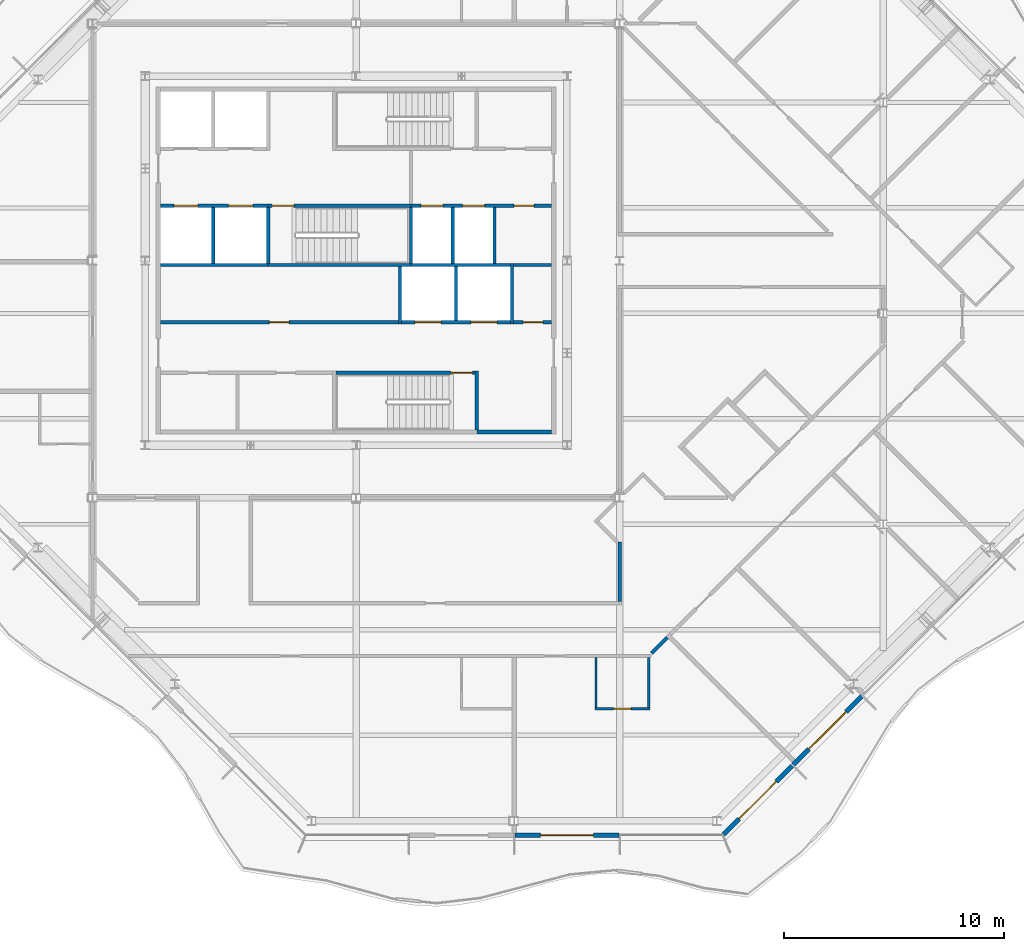
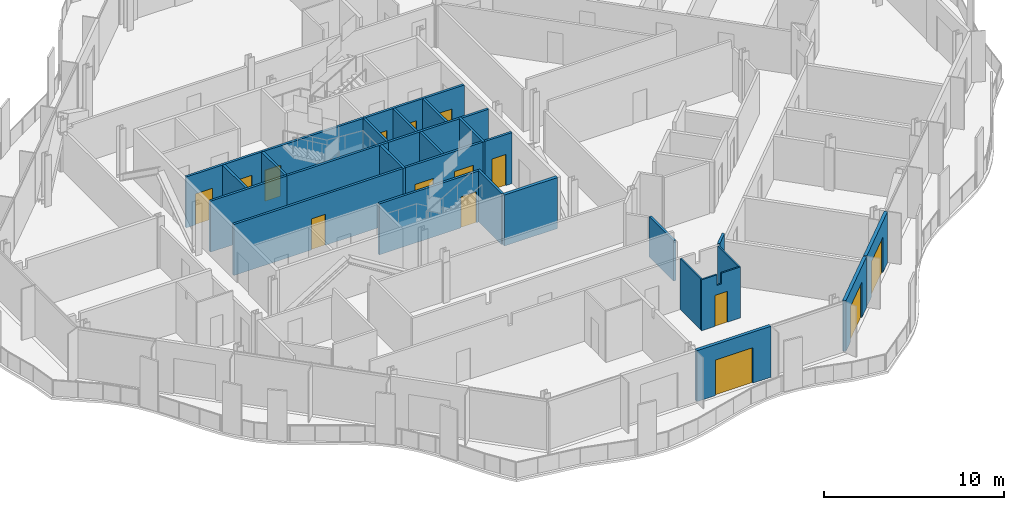
# One storey, part 8 of 17: 29 walls, 15 doors, 15 openings.
"""IFC4 building model written with IfcOpenShell, lengths in metres."""

from ifc_helpers import new_model, si_unit, direction, frame, frame_2d, origin, place, context, subcontext, project, spatial, polyline, rectangle, outline, extrude, material, layer, layer_set, type_object, element, fill, save


model = new_model("IFC4")

# Units and contexts
model_context = context("Model", 3, precision=1e-05, world=origin(), true_north=direction((0.0, 1.0)))
body_context = subcontext(model_context, "Body", "Model", "MODEL_VIEW")
ifc_project = project(units=[si_unit("LENGTHUNIT", "METRE"), si_unit("AREAUNIT", "SQUARE_METRE"), si_unit("VOLUMEUNIT", "CUBIC_METRE"), si_unit("PLANEANGLEUNIT", "RADIAN"), si_unit("MASSUNIT", "GRAM", prefix="KILO")], contexts=[model_context])

# Site, building, storey
site_placement = place(None, origin())
site = spatial("IfcSite", under=ifc_project, at=site_placement, CompositionType="ELEMENT")
building_placement = place(site_placement, origin())
building = spatial("IfcBuilding", under=site, at=building_placement, Name="Cairn Pilgrim Tower", CompositionType="ELEMENT")
storey_placement = place(building_placement, frame((0.0, 0.0, 246.60009765625)))
storey = spatial("IfcBuildingStorey", under=building, at=storey_placement, Name="L63", CompositionType="ELEMENT", Elevation=246.60009765625)

# Wall, opening, door
ifc_material_1 = material(Name="Bronze anodised aluminium insulated sandwich panel with mineral wool fill", Category="aluminium")
ifc_layer_1 = layer(ifc_material_1, 0.199951171875)
ifc_layer_set_1 = layer_set([ifc_layer_1], Name="BRONZE INFILL FRAME WALL 200")
wall_type_1 = type_object("IfcWallType", Name="BRONZE INFILL FRAME WALL 200", PredefinedType="NOTDEFINED", material=ifc_layer_set_1)
wall_1_placement = place(storey_placement, frame((14.429931640625, -23.75, 0.0), z_axis=(0.0, 0.0, 1.0), x_axis=(1.0, 0.0, 0.0)))
wall_1 = element("IfcWall", 1, at=wall_1_placement, inside=storey, type_object=wall_type_1, Name="Bronze infill frame wall IW-S3", PredefinedType="NOTDEFINED", context=body_context, shape_type="SweptSolid", body=[
    extrude(rectangle(XDim=4.739990234375, YDim=0.199951171875, at=frame_2d((2.3701171875, 0.0))), origin(), (0.0, 0.0, 1.0), 3.449951171875),
])
opening_1_placement = place(wall_1_placement, frame((1.169921875, 0.0, 0.0)))
opening_1 = element("IfcOpeningElement", 2, at=opening_1_placement, cuts=wall_1, Name="Opening 6301B", PredefinedType="OPENING", context=body_context, shape_type="SweptSolid", body=[
    extrude(rectangle(XDim=2.39990234375, YDim=2.39990234375, at=frame_2d((1.199951171875, 1.199951171875))), frame((0.0, 0.10986328125, 0.0), z_axis=(0.0, -1.0, 0.0), x_axis=(1.0, 0.0, 0.0)), (0.0, 0.0, 1.0), 0.219970703125),
])
ifc_material_2 = material(Name="Bronze anodised aluminium frame with tinted low-E glass", Category="aluminium")
door_type_1 = type_object("IfcDoorType", Name="BALCONY SLIDING DOOR 2400x2400", OperationType="DOUBLE_DOOR_SLIDING", PredefinedType="DOOR", material=ifc_material_2)
door_1_placement = place(opening_1_placement, origin())
door_1 = element("IfcDoor", 3, at=door_1_placement, inside=storey, type_object=door_type_1, Name="Balcony sliding door 6301B", OperationType="SINGLE_SWING_LEFT", OverallHeight=2.39990234375, OverallWidth=2.39990234375, PredefinedType="DOOR", context=body_context, shape_type="SweptSolid", body=[
    extrude(rectangle(XDim=2.39990234375, YDim=2.39990234375, at=frame_2d((1.199951171875, 1.199951171875))), frame((0.0, 0.02490234375, 0.0), z_axis=(0.0, -1.0, 0.0), x_axis=(1.0, 0.0, 0.0)), (0.0, 0.0, 1.0), 0.050048828125),
])
fill(opening_1, door_1)

wall_2_placement = place(storey_placement, frame((23.9248046875, -23.7216796875, 0.0), z_axis=(0.0, 0.0, 1.0), x_axis=(0.707106781187, 0.707106781187, 0.0)))
wall_2 = element("IfcWall", 4, at=wall_2_placement, inside=storey, type_object=wall_type_1, Name="Bronze infill frame wall IW-SE1", PredefinedType="NOTDEFINED", context=body_context, shape_type="SweptSolid", body=[
    extrude(rectangle(XDim=4.4208984375, YDim=0.199951171875, at=frame_2d((2.21044921875, 0.0))), origin(), (0.0, 0.0, 1.0), 3.449951171875),
])
opening_2_placement = place(wall_2_placement, frame((1.00537109375, 0.0, 0.0)))
opening_2 = element("IfcOpeningElement", 5, at=opening_2_placement, cuts=wall_2, Name="Opening 6301B2", PredefinedType="OPENING", context=body_context, shape_type="SweptSolid", body=[
    extrude(rectangle(XDim=2.39990234375, YDim=2.39990234375, at=frame_2d((1.199951171875, 1.199951171875))), frame((0.0, 0.10986328125, 0.0), z_axis=(0.0, -1.0, 0.0), x_axis=(1.0, 0.0, 0.0)), (0.0, 0.0, 1.0), 0.219970703125),
])
door_2_placement = place(opening_2_placement, origin())
door_2 = element("IfcDoor", 6, at=door_2_placement, inside=storey, type_object=door_type_1, Name="Balcony sliding door 6301B2", OperationType="SINGLE_SWING_LEFT", OverallHeight=2.39990234375, OverallWidth=2.39990234375, PredefinedType="DOOR", context=body_context, shape_type="SweptSolid", body=[
    extrude(rectangle(XDim=2.39990234375, YDim=2.39990234375, at=frame_2d((1.199951171875, 1.199951171875))), frame((0.0, 0.02490234375, 0.0), z_axis=(0.0, -1.0, 0.0), x_axis=(1.0, 0.0, 0.0)), (0.0, 0.0, 1.0), 0.050048828125),
])
fill(opening_2, door_2)

wall_3_placement = place(storey_placement, frame((27.09326171875, -20.55322265625, 0.0), z_axis=(0.0, 0.0, 1.0), x_axis=(0.707079231393, 0.707134329907, 0.0)))
wall_3 = element("IfcWall", 7, at=wall_3_placement, inside=storey, type_object=wall_type_1, Name="Bronze infill frame wall IW-SE2", PredefinedType="NOTDEFINED", context=body_context, shape_type="SweptSolid", body=[
    extrude(rectangle(XDim=4.430908203125, YDim=0.199951171875, at=frame_2d((2.21533203125, 0.0))), origin(), (0.0, 0.0, 1.0), 3.449951171875),
])
opening_3_placement = place(wall_3_placement, frame((1.015380859375, 0.0, 0.0)))
opening_3 = element("IfcOpeningElement", 8, at=opening_3_placement, cuts=wall_3, Name="Opening 6302B", PredefinedType="OPENING", context=body_context, shape_type="SweptSolid", body=[
    extrude(rectangle(XDim=2.39990234375, YDim=2.39990234375, at=frame_2d((1.199951171875, 1.199951171875))), frame((0.0, 0.10986328125, 0.0), z_axis=(0.0, -1.0, 0.0), x_axis=(1.0, 0.0, 0.0)), (0.0, 0.0, 1.0), 0.219970703125),
])
door_3_placement = place(opening_3_placement, origin())
door_3 = element("IfcDoor", 9, at=door_3_placement, inside=storey, type_object=door_type_1, Name="Balcony sliding door 6302B", OperationType="SINGLE_SWING_LEFT", OverallHeight=2.39990234375, OverallWidth=2.39990234375, PredefinedType="DOOR", context=body_context, shape_type="SweptSolid", body=[
    extrude(rectangle(XDim=2.39990234375, YDim=2.39990234375, at=frame_2d((1.199951171875, 1.199951171875))), frame((0.0, 0.02490234375, 0.0), z_axis=(0.0, -1.0, 0.0), x_axis=(1.0, 0.0, 0.0)), (0.0, 0.0, 1.0), 0.050048828125),
])
fill(opening_3, door_3)

# Wall
ifc_material_3 = material(Name="Concrete C32/40", Category="concrete")
ifc_layer_2 = layer(ifc_material_3, 0.199951171875)
ifc_layer_set_2 = layer_set([ifc_layer_2], Name="CORE OUTER WALL 200 EI 120")
wall_type_2 = type_object("IfcWallType", Name="CORE OUTER WALL 200 EI 120", PredefinedType="SOLIDWALL", material=ifc_layer_set_2)
wall_4_placement = place(storey_placement, frame((12.699951171875, -5.39990234375, 0.0), z_axis=(0.0, 0.0, 1.0), x_axis=(1.0, 0.0, 0.0)))
element("IfcWall", 10, at=wall_4_placement, inside=storey, type_object=wall_type_2, Name="CW:L63:H01-3", PredefinedType="SOLIDWALL", context=body_context, shape_type="SweptSolid", body=[
    extrude(rectangle(XDim=3.400146484375, YDim=0.199951171875, at=frame_2d((1.7001953125, 0.0))), origin(), (0.0, 0.0, 1.0), 3.449951171875),
])

# Wall, opening, door
ifc_layer_3 = layer(ifc_material_3, 0.14990234375)
ifc_layer_set_3 = layer_set([ifc_layer_3], Name="CORE PARTITION 150 EI 60")
wall_type_3 = type_object("IfcWallType", Name="CORE PARTITION 150 EI 60", PredefinedType="PARTITIONING", material=ifc_layer_set_3)
wall_5_placement = place(storey_placement, frame((-1.699951171875, -0.39990234375, 0.0), z_axis=(0.0, 0.0, 1.0), x_axis=(1.0, 0.0, 0.0)))
wall_5 = element("IfcWall", 11, at=wall_5_placement, inside=storey, type_object=wall_type_3, Name="CW:L63:H04", PredefinedType="PARTITIONING", context=body_context, shape_type="SweptSolid", body=[
    extrude(rectangle(XDim=10.824951171875, YDim=0.14990234375, at=frame_2d((5.41259765625, 0.0))), origin(), (0.0, 0.0, 1.0), 3.449951171875),
])
opening_4_placement = place(wall_5_placement, frame((4.949951171875, 0.0, 0.0)))
opening_4 = element("IfcOpeningElement", 12, at=opening_4_placement, cuts=wall_5, Name="Opening RD-R2W1", PredefinedType="OPENING", context=body_context, shape_type="SweptSolid", body=[
    extrude(rectangle(XDim=0.89990234375, YDim=2.10009765625, at=frame_2d((0.449951171875, 1.050048828125))), frame((0.0, 0.0849609375, 0.0), z_axis=(0.0, -1.0, 0.0), x_axis=(1.0, 0.0, 0.0)), (0.0, 0.0, 1.0), 0.169921875),
])
ifc_material_4 = material(Name="Painted steel", Category="steel")
door_type_2 = type_object("IfcDoorType", Name="SERVICE ROOM DOOR 900x2100", OperationType="SINGLE_SWING_LEFT", PredefinedType="DOOR", material=ifc_material_4)
door_4_placement = place(opening_4_placement, origin())
door_4 = element("IfcDoor", 13, at=door_4_placement, inside=storey, type_object=door_type_2, Name="RD-R2W1", OperationType="SINGLE_SWING_RIGHT", OverallHeight=2.10009765625, OverallWidth=0.89990234375, PredefinedType="DOOR", context=body_context, shape_type="SweptSolid", body=[
    extrude(rectangle(XDim=0.89990234375, YDim=2.10009765625, at=frame_2d((0.449951171875, 1.050048828125))), frame((0.0, 0.02490234375, 0.0), z_axis=(0.0, -1.0, 0.0), x_axis=(1.0, 0.0, 0.0)), (0.0, 0.0, 1.0), 0.050048828125),
])
fill(opening_4, door_4)

wall_6_placement = place(storey_placement, frame((14.375, -0.39990234375, 0.0), z_axis=(0.0, 0.0, 1.0), x_axis=(1.0, 0.0, 0.0)))
wall_6 = element("IfcWall", 14, at=wall_6_placement, inside=storey, type_object=wall_type_3, Name="CW:L63:H06", PredefinedType="PARTITIONING", context=body_context, shape_type="SweptSolid", body=[
    extrude(rectangle(XDim=1.72509765625, YDim=0.14990234375, at=frame_2d((0.862548828125, 0.0))), origin(), (0.0, 0.0, 1.0), 3.449951171875),
])
opening_5_placement = place(wall_6_placement, frame((0.425048828125, 0.0, 0.0)))
opening_5 = element("IfcOpeningElement", 15, at=opening_5_placement, cuts=wall_6, Name="Opening RD-R2E", PredefinedType="OPENING", context=body_context, shape_type="SweptSolid", body=[
    extrude(rectangle(XDim=0.89990234375, YDim=2.10009765625, at=frame_2d((0.449951171875, 1.050048828125))), frame((0.0, 0.0849609375, 0.0), z_axis=(0.0, -1.0, 0.0), x_axis=(1.0, 0.0, 0.0)), (0.0, 0.0, 1.0), 0.169921875),
])
door_5_placement = place(opening_5_placement, origin())
door_5 = element("IfcDoor", 16, at=door_5_placement, inside=storey, type_object=door_type_2, Name="RD-R2E", OperationType="SINGLE_SWING_LEFT", OverallHeight=2.10009765625, OverallWidth=0.89990234375, PredefinedType="DOOR", context=body_context, shape_type="SweptSolid", body=[
    extrude(rectangle(XDim=0.89990234375, YDim=2.10009765625, at=frame_2d((0.449951171875, 1.050048828125))), frame((0.0, 0.02490234375, 0.0), z_axis=(0.0, -1.0, 0.0), x_axis=(1.0, 0.0, 0.0)), (0.0, 0.0, 1.0), 0.050048828125),
])
fill(opening_5, door_5)

# Wall
wall_7_placement = place(storey_placement, frame((14.375, 2.199951171875, 0.0), z_axis=(0.0, 0.0, 1.0), x_axis=(1.0, 0.0, 0.0)))
element("IfcWall", 17, at=wall_7_placement, inside=storey, type_object=wall_type_3, Name="CW:L63:H08", PredefinedType="PARTITIONING", context=body_context, shape_type="SweptSolid", body=[
    extrude(rectangle(XDim=1.72509765625, YDim=0.14990234375, at=frame_2d((0.862548828125, 0.0))), origin(), (0.0, 0.0, 1.0), 3.449951171875),
])

# Wall, openings, doors
ifc_layer_4 = layer(ifc_material_3, 0.14990234375)
ifc_layer_set_4 = layer_set([ifc_layer_4], Name="CORE SHAFT WALL 150 EI 120")
wall_type_4 = type_object("IfcWallType", Name="CORE SHAFT WALL 150 EI 120", PredefinedType="SOLIDWALL", material=ifc_layer_set_4)
wall_8_placement = place(storey_placement, frame((9.27490234375, -0.39990234375, 0.0), z_axis=(0.0, 0.0, 1.0), x_axis=(1.0, 0.0, 0.0)))
wall_8 = element("IfcWall", 18, at=wall_8_placement, inside=storey, type_object=wall_type_4, Name="CW:L63:H05", PredefinedType="SOLIDWALL", context=body_context, shape_type="SweptSolid", body=[
    extrude(rectangle(XDim=4.9501953125, YDim=0.14990234375, at=frame_2d((2.47509765625, 0.0))), origin(), (0.0, 0.0, 1.0), 3.449951171875),
])
opening_6_placement = place(wall_8_placement, frame((0.60009765625, 0.0, 0.0)))
opening_6 = element("IfcOpeningElement", 19, at=opening_6_placement, cuts=wall_8, Name="Opening LD-SV1", PredefinedType="OPENING", context=body_context, shape_type="SweptSolid", body=[
    extrude(rectangle(XDim=1.199951171875, YDim=2.10009765625, at=frame_2d((0.60009765625, 1.050048828125))), frame((0.0, 0.0849609375, 0.0), z_axis=(0.0, -1.0, 0.0), x_axis=(1.0, 0.0, 0.0)), (0.0, 0.0, 1.0), 0.169921875),
])
opening_7_placement = place(wall_8_placement, frame((3.14990234375, 0.0, 0.0)))
opening_7 = element("IfcOpeningElement", 20, at=opening_7_placement, cuts=wall_8, Name="Opening LD-SV2", PredefinedType="OPENING", context=body_context, shape_type="SweptSolid", body=[
    extrude(rectangle(XDim=1.199951171875, YDim=2.10009765625, at=frame_2d((0.60009765625, 1.050048828125))), frame((0.0, 0.0849609375, 0.0), z_axis=(0.0, -1.0, 0.0), x_axis=(1.0, 0.0, 0.0)), (0.0, 0.0, 1.0), 0.169921875),
])
ifc_material_5 = material(Name="Stainless steel", Category="steel")
door_type_3 = type_object("IfcDoorType", Name="LIFT LANDING DOOR 1200x2100", OperationType="DOUBLE_DOOR_SLIDING", PredefinedType="DOOR", material=ifc_material_5)
door_6_placement = place(opening_6_placement, origin())
door_6 = element("IfcDoor", 21, at=door_6_placement, inside=storey, type_object=door_type_3, Name="LANDING DOOR SV1", OperationType="DOUBLE_DOOR_SLIDING", OverallHeight=2.10009765625, OverallWidth=1.199951171875, PredefinedType="DOOR", context=body_context, shape_type="SweptSolid", body=[
    extrude(rectangle(XDim=1.199951171875, YDim=2.10009765625, at=frame_2d((0.60009765625, 1.050048828125))), frame((0.0, 0.02490234375, 0.0), z_axis=(0.0, -1.0, 0.0), x_axis=(1.0, 0.0, 0.0)), (0.0, 0.0, 1.0), 0.050048828125),
])
fill(opening_6, door_6)
door_7_placement = place(opening_7_placement, origin())
door_7 = element("IfcDoor", 22, at=door_7_placement, inside=storey, type_object=door_type_3, Name="LANDING DOOR SV2", OperationType="DOUBLE_DOOR_SLIDING", OverallHeight=2.10009765625, OverallWidth=1.199951171875, PredefinedType="DOOR", context=body_context, shape_type="SweptSolid", body=[
    extrude(rectangle(XDim=1.199951171875, YDim=2.10009765625, at=frame_2d((0.60009765625, 1.050048828125))), frame((0.0, 0.02490234375, 0.0), z_axis=(0.0, -1.0, 0.0), x_axis=(1.0, 0.0, 0.0)), (0.0, 0.0, 1.0), 0.050048828125),
])
fill(opening_7, door_7)

# Walls
wall_9_placement = place(storey_placement, frame((-1.699951171875, 2.199951171875, 0.0), z_axis=(0.0, 0.0, 1.0), x_axis=(1.0, 0.0, 0.0)))
element("IfcWall", 23, at=wall_9_placement, inside=storey, type_object=wall_type_4, Name="CW:L63:H07-1", PredefinedType="SOLIDWALL", context=body_context, shape_type="SweptSolid", body=[
    extrude(rectangle(XDim=4.89990234375, YDim=0.14990234375, at=frame_2d((2.449951171875, 0.0))), origin(), (0.0, 0.0, 1.0), 3.449951171875),
])
wall_10_placement = place(storey_placement, frame((9.699951171875, 2.199951171875, 0.0), z_axis=(0.0, 0.0, 1.0), x_axis=(1.0, 0.0, 0.0)))
element("IfcWall", 24, at=wall_10_placement, inside=storey, type_object=wall_type_4, Name="CW:L63:H07-3", PredefinedType="SOLIDWALL", context=body_context, shape_type="SweptSolid", body=[
    extrude(rectangle(XDim=4.525146484375, YDim=0.14990234375, at=frame_2d((2.2626953125, 0.0))), origin(), (0.0, 0.0, 1.0), 3.449951171875),
])

# Wall, openings, doors
wall_11_placement = place(storey_placement, frame((-1.699951171875, 4.89990234375, 0.0), z_axis=(0.0, 0.0, 1.0), x_axis=(1.0, 0.0, 0.0)))
wall_11 = element("IfcWall", 25, at=wall_11_placement, inside=storey, type_object=wall_type_4, Name="CW:L63:H09-1", PredefinedType="SOLIDWALL", context=body_context, shape_type="SweptSolid", body=[
    extrude(rectangle(XDim=4.89990234375, YDim=0.14990234375, at=frame_2d((2.449951171875, 0.0))), origin(), (0.0, 0.0, 1.0), 3.449951171875),
])
opening_8_placement = place(wall_11_placement, frame((0.60009765625, 0.0, 0.0)))
opening_8 = element("IfcOpeningElement", 26, at=opening_8_placement, cuts=wall_11, Name="Opening LD-HR1", PredefinedType="OPENING", context=body_context, shape_type="SweptSolid", body=[
    extrude(rectangle(XDim=1.10009765625, YDim=2.10009765625, at=frame_2d((0.550048828125, 1.050048828125))), frame((0.0, 0.0849609375, 0.0), z_axis=(0.0, -1.0, 0.0), x_axis=(1.0, 0.0, 0.0)), (0.0, 0.0, 1.0), 0.169921875),
])
opening_9_placement = place(wall_11_placement, frame((3.10009765625, 0.0, 0.0)))
opening_9 = element("IfcOpeningElement", 27, at=opening_9_placement, cuts=wall_11, Name="Opening LD-HR2", PredefinedType="OPENING", context=body_context, shape_type="SweptSolid", body=[
    extrude(rectangle(XDim=1.10009765625, YDim=2.10009765625, at=frame_2d((0.550048828125, 1.050048828125))), frame((0.0, 0.0849609375, 0.0), z_axis=(0.0, -1.0, 0.0), x_axis=(1.0, 0.0, 0.0)), (0.0, 0.0, 1.0), 0.169921875),
])
door_type_4 = type_object("IfcDoorType", Name="LIFT LANDING DOOR 1100x2100", OperationType="DOUBLE_DOOR_SLIDING", PredefinedType="DOOR", material=ifc_material_5)
door_8_placement = place(opening_8_placement, origin())
door_8 = element("IfcDoor", 28, at=door_8_placement, inside=storey, type_object=door_type_4, Name="LANDING DOOR HR1", OperationType="DOUBLE_DOOR_SLIDING", OverallHeight=2.10009765625, OverallWidth=1.10009765625, PredefinedType="DOOR", context=body_context, shape_type="SweptSolid", body=[
    extrude(rectangle(XDim=1.10009765625, YDim=2.10009765625, at=frame_2d((0.550048828125, 1.050048828125))), frame((0.0, 0.02490234375, 0.0), z_axis=(0.0, -1.0, 0.0), x_axis=(1.0, 0.0, 0.0)), (0.0, 0.0, 1.0), 0.050048828125),
])
fill(opening_8, door_8)
door_9_placement = place(opening_9_placement, origin())
door_9 = element("IfcDoor", 29, at=door_9_placement, inside=storey, type_object=door_type_4, Name="LANDING DOOR HR2", OperationType="DOUBLE_DOOR_SLIDING", OverallHeight=2.10009765625, OverallWidth=1.10009765625, PredefinedType="DOOR", context=body_context, shape_type="SweptSolid", body=[
    extrude(rectangle(XDim=1.10009765625, YDim=2.10009765625, at=frame_2d((0.550048828125, 1.050048828125))), frame((0.0, 0.02490234375, 0.0), z_axis=(0.0, -1.0, 0.0), x_axis=(1.0, 0.0, 0.0)), (0.0, 0.0, 1.0), 0.050048828125),
])
fill(opening_9, door_9)

wall_12_placement = place(storey_placement, frame((9.699951171875, 4.89990234375, 0.0), z_axis=(0.0, 0.0, 1.0), x_axis=(1.0, 0.0, 0.0)))
wall_12 = element("IfcWall", 30, at=wall_12_placement, inside=storey, type_object=wall_type_4, Name="CW:L63:H09-3", PredefinedType="SOLIDWALL", context=body_context, shape_type="SweptSolid", body=[
    extrude(rectangle(XDim=6.400146484375, YDim=0.14990234375, at=frame_2d((3.2001953125, 0.0))), origin(), (0.0, 0.0, 1.0), 3.449951171875),
])
opening_10_placement = place(wall_12_placement, frame((0.449951171875, 0.0, 0.0)))
opening_10 = element("IfcOpeningElement", 31, at=opening_10_placement, cuts=wall_12, Name="Opening LD-FF1", PredefinedType="OPENING", context=body_context, shape_type="SweptSolid", body=[
    extrude(rectangle(XDim=1.0, YDim=2.10009765625, at=frame_2d((0.5, 1.050048828125))), frame((0.0, 0.0849609375, 0.0), z_axis=(0.0, -1.0, 0.0), x_axis=(1.0, 0.0, 0.0)), (0.0, 0.0, 1.0), 0.169921875),
])
opening_11_placement = place(wall_12_placement, frame((2.35009765625, 0.0, 0.0)))
opening_11 = element("IfcOpeningElement", 32, at=opening_11_placement, cuts=wall_12, Name="Opening LD-FF2", PredefinedType="OPENING", context=body_context, shape_type="SweptSolid", body=[
    extrude(rectangle(XDim=1.0, YDim=2.10009765625, at=frame_2d((0.5, 1.050048828125))), frame((0.0, 0.0849609375, 0.0), z_axis=(0.0, -1.0, 0.0), x_axis=(1.0, 0.0, 0.0)), (0.0, 0.0, 1.0), 0.169921875),
])
opening_12_placement = place(wall_12_placement, frame((4.699951171875, 0.0, 0.0)))
opening_12 = element("IfcOpeningElement", 33, at=opening_12_placement, cuts=wall_12, Name="Opening RD-R3E", PredefinedType="OPENING", context=body_context, shape_type="SweptSolid", body=[
    extrude(rectangle(XDim=0.89990234375, YDim=2.10009765625, at=frame_2d((0.449951171875, 1.050048828125))), frame((0.0, 0.0849609375, 0.0), z_axis=(0.0, -1.0, 0.0), x_axis=(1.0, 0.0, 0.0)), (0.0, 0.0, 1.0), 0.169921875),
])
door_type_5 = type_object("IfcDoorType", Name="LIFT LANDING DOOR FIRE 1000x2100", OperationType="DOUBLE_DOOR_SLIDING", PredefinedType="DOOR", material=ifc_material_5)
door_10_placement = place(opening_10_placement, origin())
door_10 = element("IfcDoor", 34, at=door_10_placement, inside=storey, type_object=door_type_5, Name="LANDING DOOR FF1", OperationType="DOUBLE_DOOR_SLIDING", OverallHeight=2.10009765625, OverallWidth=1.0, PredefinedType="DOOR", context=body_context, shape_type="SweptSolid", body=[
    extrude(rectangle(XDim=1.0, YDim=2.10009765625, at=frame_2d((0.5, 1.050048828125))), frame((0.0, 0.02490234375, 0.0), z_axis=(0.0, -1.0, 0.0), x_axis=(1.0, 0.0, 0.0)), (0.0, 0.0, 1.0), 0.050048828125),
])
fill(opening_10, door_10)
door_11_placement = place(opening_11_placement, origin())
door_11 = element("IfcDoor", 35, at=door_11_placement, inside=storey, type_object=door_type_5, Name="LANDING DOOR FF2", OperationType="DOUBLE_DOOR_SLIDING", OverallHeight=2.10009765625, OverallWidth=1.0, PredefinedType="DOOR", context=body_context, shape_type="SweptSolid", body=[
    extrude(rectangle(XDim=1.0, YDim=2.10009765625, at=frame_2d((0.5, 1.050048828125))), frame((0.0, 0.02490234375, 0.0), z_axis=(0.0, -1.0, 0.0), x_axis=(1.0, 0.0, 0.0)), (0.0, 0.0, 1.0), 0.050048828125),
])
fill(opening_11, door_11)
door_12_placement = place(opening_12_placement, origin())
door_12 = element("IfcDoor", 36, at=door_12_placement, inside=storey, type_object=door_type_2, Name="RD-R3E", OperationType="SINGLE_SWING_RIGHT", OverallHeight=2.10009765625, OverallWidth=0.89990234375, PredefinedType="DOOR", context=body_context, shape_type="SweptSolid", body=[
    extrude(rectangle(XDim=0.89990234375, YDim=2.10009765625, at=frame_2d((0.449951171875, 1.050048828125))), frame((0.0, 0.02490234375, 0.0), z_axis=(0.0, -1.0, 0.0), x_axis=(1.0, 0.0, 0.0)), (0.0, 0.0, 1.0), 0.050048828125),
])
fill(opening_12, door_12)

# Walls
wall_13_placement = place(storey_placement, frame((0.699951171875, 2.27490234375, 0.0), z_axis=(0.0, 0.0, 1.0), x_axis=(0.0, 1.0, 0.0)))
element("IfcWall", 37, at=wall_13_placement, inside=storey, type_object=wall_type_4, Name="CW:L63:V14", PredefinedType="SOLIDWALL", context=body_context, shape_type="SweptSolid", body=[
    extrude(rectangle(XDim=2.550048828125, YDim=0.14990234375, at=frame_2d((1.27490234375, 0.0))), origin(), (0.0, 0.0, 1.0), 3.449951171875),
])
wall_14_placement = place(storey_placement, frame((9.199951171875, -0.47509765625, 0.0), z_axis=(0.0, 0.0, 1.0), x_axis=(0.0, 1.0, 0.0)))
element("IfcWall", 38, at=wall_14_placement, inside=storey, type_object=wall_type_4, Name="CW:L63:V21", PredefinedType="SOLIDWALL", context=body_context, shape_type="SweptSolid", body=[
    extrude(rectangle(XDim=2.60009765625, YDim=0.14990234375, at=frame_2d((1.300048828125, 0.0))), origin(), (0.0, 0.0, 1.0), 3.449951171875),
])
wall_15_placement = place(storey_placement, frame((11.60009765625, 2.27490234375, 0.0), z_axis=(0.0, 0.0, 1.0), x_axis=(0.0, 1.0, 0.0)))
element("IfcWall", 39, at=wall_15_placement, inside=storey, type_object=wall_type_4, Name="CW:L63:V24", PredefinedType="SOLIDWALL", context=body_context, shape_type="SweptSolid", body=[
    extrude(rectangle(XDim=2.550048828125, YDim=0.14990234375, at=frame_2d((1.27490234375, 0.0))), origin(), (0.0, 0.0, 1.0), 3.449951171875),
])
wall_16_placement = place(storey_placement, frame((11.75, -0.324951171875, 0.0), z_axis=(0.0, 0.0, 1.0), x_axis=(0.0, 1.0, 0.0)))
element("IfcWall", 40, at=wall_16_placement, inside=storey, type_object=wall_type_4, Name="CW:L63:V25", PredefinedType="SOLIDWALL", context=body_context, shape_type="SweptSolid", body=[
    extrude(rectangle(XDim=2.449951171875, YDim=0.14990234375, at=frame_2d((1.22509765625, 0.0))), origin(), (0.0, 0.0, 1.0), 3.449951171875),
])
wall_17_placement = place(storey_placement, frame((13.5, 2.27490234375, 0.0), z_axis=(0.0, 0.0, 1.0), x_axis=(0.0, 1.0, 0.0)))
element("IfcWall", 41, at=wall_17_placement, inside=storey, type_object=wall_type_4, Name="CW:L63:V28", PredefinedType="SOLIDWALL", context=body_context, shape_type="SweptSolid", body=[
    extrude(rectangle(XDim=2.550048828125, YDim=0.14990234375, at=frame_2d((1.27490234375, 0.0))), origin(), (0.0, 0.0, 1.0), 3.449951171875),
])
wall_18_placement = place(storey_placement, frame((14.300048828125, -0.47509765625, 0.0), z_axis=(0.0, 0.0, 1.0), x_axis=(0.0, 1.0, 0.0)))
element("IfcWall", 42, at=wall_18_placement, inside=storey, type_object=wall_type_4, Name="CW:L63:V29", PredefinedType="SOLIDWALL", context=body_context, shape_type="SweptSolid", body=[
    extrude(rectangle(XDim=2.75, YDim=0.14990234375, at=frame_2d((1.375, 0.0))), origin(), (0.0, 0.0, 1.0), 3.449951171875),
])

# Wall, opening, door
ifc_material_6 = material(Name="Gypsum partition")
ifc_layer_5 = layer(ifc_material_6, 0.10009765625)
ifc_layer_set_5 = layer_set([ifc_layer_5], Name="PARTITION 100 DRYWALL")
wall_type_5 = type_object("IfcWallType", Name="PARTITION 100 DRYWALL", PredefinedType="PARTITIONING", material=ifc_layer_set_5)
wall_19_placement = place(storey_placement, frame((18.071044921875, -18.0, 0.0), z_axis=(0.0, 0.0, 1.0), x_axis=(1.0, 0.0, 0.0)))
wall_19 = element("IfcWall", 43, at=wall_19_placement, inside=storey, type_object=wall_type_5, Name="PARTITION W005", PredefinedType="PARTITIONING", context=body_context, shape_type="SweptSolid", body=[
    extrude(outline(polyline([(0.0, 0.0), (2.5, 0.0), (2.5, 3.449951171875), (1.279052734375, 3.449951171875), (1.277099609375, 2.72998046875), (0.97900390625, 2.72998046875), (0.97705078125, 3.449951171875), (0.0, 3.449951171875), (0.0, 0.0)])), frame((0.0, 0.050048828125, 0.0), z_axis=(0.0, -1.0, 0.0), x_axis=(1.0, 0.0, 0.0)), (0.0, 0.0, 1.0), 0.10009765625),
])
opening_13_placement = place(wall_19_placement, frame((0.85009765625, 0.0, 0.0)))
opening_13 = element("IfcOpeningElement", 44, at=opening_13_placement, cuts=wall_19, Name="Opening 6301A", PredefinedType="OPENING", context=body_context, shape_type="SweptSolid", body=[
    extrude(rectangle(XDim=0.800048828125, YDim=2.10009765625, at=frame_2d((0.39990234375, 1.050048828125))), frame((0.0, 0.06005859375, 0.0), z_axis=(0.0, -1.0, 0.0), x_axis=(1.0, 0.0, 0.0)), (0.0, 0.0, 1.0), 0.1201171875),
])
ifc_material_7 = material(Name="Timber door leaf", Category="wood")
door_type_6 = type_object("IfcDoorType", Name="WC DOOR 800x2100", OperationType="NOTDEFINED", PredefinedType="DOOR", material=ifc_material_7)
door_13_placement = place(opening_13_placement, frame((0.800048828125, 0.0, 0.0), z_axis=(0.0, 0.0, 1.0), x_axis=(-1.0, 0.0, 0.0)))
door_13 = element("IfcDoor", 45, at=door_13_placement, inside=storey, type_object=door_type_6, Name="DOOR 6301A", OperationType="SINGLE_SWING_RIGHT", OverallHeight=2.10009765625, OverallWidth=0.800048828125, PredefinedType="DOOR", context=body_context, shape_type="SweptSolid", body=[
    extrude(rectangle(XDim=0.800048828125, YDim=2.10009765625, at=frame_2d((0.39990234375, 1.050048828125))), frame((0.0, 0.02490234375, 0.0), z_axis=(0.0, -1.0, 0.0), x_axis=(1.0, 0.0, 0.0)), (0.0, 0.0, 1.0), 0.050048828125),
])
fill(opening_13, door_13)

# Walls
for number, where, z_axis, x_axis, name in (
    (46, (18.12109375, -17.949951171875, 0.0), (0.0, 0.0, 1.0), (0.0, 1.0, 0.0), "PARTITION W007"),
    (47, (20.52099609375, -17.949951171875, 0.0), (0.0, 0.0, 1.0), (0.0, 1.0, 0.0), "PARTITION W008"),
):
    element("IfcWall", number, at=place(storey_placement, frame(where, z_axis=z_axis, x_axis=x_axis)), inside=storey, type_object=wall_type_5, Name=name, PredefinedType="PARTITIONING", context=body_context, shape_type="SweptSolid", body=[
        extrude(rectangle(XDim=2.27490234375, YDim=0.10009765625, at=frame_2d((1.137451171875, 0.0))), origin(), (0.0, 0.0, 1.0), 3.449951171875),
    ])
ifc_layer_6 = layer(ifc_material_6, 0.14990234375)
ifc_layer_set_6 = layer_set([ifc_layer_6], Name="PARTITION 150 DRYWALL EI 60")
wall_type_6 = type_object("IfcWallType", Name="PARTITION 150 DRYWALL EI 60", PredefinedType="PARTITIONING", material=ifc_layer_set_6)
wall_20_placement = place(storey_placement, frame((20.64892578125, -15.471923828125, 0.0), z_axis=(0.0, 0.0, 1.0), x_axis=(0.707106781187, 0.707106781187, 0.0)))
element("IfcWall", 48, at=wall_20_placement, inside=storey, type_object=wall_type_6, Name="PARTITION W012", PredefinedType="PARTITIONING", context=body_context, shape_type="SweptSolid", body=[
    extrude(rectangle(XDim=1.012939453125, YDim=0.14990234375, at=frame_2d((0.50634765625, 0.0))), origin(), (0.0, 0.0, 1.0), 3.449951171875),
])
wall_21_placement = place(storey_placement, frame((19.199951171875, -13.125, 0.0), z_axis=(0.0, 0.0, 1.0), x_axis=(0.0, 1.0, 0.0)))
element("IfcWall", 49, at=wall_21_placement, inside=storey, type_object=wall_type_6, Name="PARTITION W020", PredefinedType="PARTITIONING", context=body_context, shape_type="SweptSolid", body=[
    extrude(rectangle(XDim=2.7099609375, YDim=0.14990234375, at=frame_2d((1.35498046875, 0.0))), origin(), (0.0, 0.0, 1.0), 2.72998046875),
])

# Wall, opening, door
ifc_material_8 = material(Name="Concrete C35/45", Category="concrete")
ifc_layer_7 = layer(ifc_material_8, 0.14990234375)
ifc_layer_set_7 = layer_set([ifc_layer_7], Name="STAIR SHAFT WALL 150 EI 120")
wall_type_7 = type_object("IfcWallType", Name="STAIR SHAFT WALL 150 EI 120", PredefinedType="SOLIDWALL", material=ifc_layer_set_7)
wall_22_placement = place(storey_placement, frame((6.27490234375, -2.699951171875, 0.0), z_axis=(0.0, 0.0, 1.0), x_axis=(1.0, 0.0, 0.0)))
wall_22 = element("IfcWall", 50, at=wall_22_placement, inside=storey, type_object=wall_type_7, Name="CW:L63:H03", PredefinedType="SOLIDWALL", context=body_context, shape_type="SweptSolid", body=[
    extrude(rectangle(XDim=6.35009765625, YDim=0.14990234375, at=frame_2d((3.175048828125, 0.0))), origin(), (0.0, 0.0, 1.0), 3.449951171875),
])
opening_14_placement = place(wall_22_placement, frame((5.22509765625, 0.0, 0.0)))
opening_14 = element("IfcOpeningElement", 51, at=opening_14_placement, cuts=wall_22, Name="Opening SD-A", PredefinedType="OPENING", context=body_context, shape_type="SweptSolid", body=[
    extrude(rectangle(XDim=1.0, YDim=2.10009765625, at=frame_2d((0.5, 1.050048828125))), frame((0.0, 0.0849609375, 0.0), z_axis=(0.0, -1.0, 0.0), x_axis=(1.0, 0.0, 0.0)), (0.0, 0.0, 1.0), 0.169921875),
])
door_type_7 = type_object("IfcDoorType", Name="STAIR DOOR FD60S 1000x2100", OperationType="SINGLE_SWING_LEFT", PredefinedType="DOOR", material=ifc_material_4)
door_14_placement = place(opening_14_placement, origin())
door_14 = element("IfcDoor", 52, at=door_14_placement, inside=storey, type_object=door_type_7, Name="SD-A", OperationType="SINGLE_SWING_RIGHT", OverallHeight=2.10009765625, OverallWidth=1.0, PredefinedType="DOOR", context=body_context, shape_type="SweptSolid", body=[
    extrude(rectangle(XDim=1.0, YDim=2.10009765625, at=frame_2d((0.5, 1.050048828125))), frame((0.0, 0.02490234375, 0.0), z_axis=(0.0, -1.0, 0.0), x_axis=(1.0, 0.0, 0.0)), (0.0, 0.0, 1.0), 0.050048828125),
])
fill(opening_14, door_14)

# Wall
wall_23_placement = place(storey_placement, frame((3.199951171875, 2.199951171875, 0.0), z_axis=(0.0, 0.0, 1.0), x_axis=(1.0, 0.0, 0.0)))
element("IfcWall", 53, at=wall_23_placement, inside=storey, type_object=wall_type_7, Name="CW:L63:H07-2", PredefinedType="SOLIDWALL", context=body_context, shape_type="SweptSolid", body=[
    extrude(rectangle(XDim=6.5, YDim=0.14990234375, at=frame_2d((3.25, 0.0))), origin(), (0.0, 0.0, 1.0), 3.449951171875),
])

# Wall, opening, door
wall_24_placement = place(storey_placement, frame((3.199951171875, 4.89990234375, 0.0), z_axis=(0.0, 0.0, 1.0), x_axis=(1.0, 0.0, 0.0)))
wall_24 = element("IfcWall", 54, at=wall_24_placement, inside=storey, type_object=wall_type_7, Name="CW:L63:H09-2", PredefinedType="SOLIDWALL", context=body_context, shape_type="SweptSolid", body=[
    extrude(rectangle(XDim=6.5, YDim=0.14990234375, at=frame_2d((3.25, 0.0))), origin(), (0.0, 0.0, 1.0), 3.449951171875),
])
opening_15_placement = place(wall_24_placement, frame((0.175048828125, 0.0, 0.0)))
opening_15 = element("IfcOpeningElement", 55, at=opening_15_placement, cuts=wall_24, Name="Opening SD-B", PredefinedType="OPENING", context=body_context, shape_type="SweptSolid", body=[
    extrude(rectangle(XDim=1.0, YDim=2.10009765625, at=frame_2d((0.5, 1.050048828125))), frame((0.0, 0.0849609375, 0.0), z_axis=(0.0, -1.0, 0.0), x_axis=(1.0, 0.0, 0.0)), (0.0, 0.0, 1.0), 0.169921875),
])
door_15_placement = place(opening_15_placement, origin())
door_15 = element("IfcDoor", 56, at=door_15_placement, inside=storey, type_object=door_type_7, Name="SD-B", OperationType="SINGLE_SWING_LEFT", OverallHeight=2.10009765625, OverallWidth=1.0, PredefinedType="DOOR", context=body_context, shape_type="SweptSolid", body=[
    extrude(rectangle(XDim=1.0, YDim=2.10009765625, at=frame_2d((0.5, 1.050048828125))), frame((0.0, 0.02490234375, 0.0), z_axis=(0.0, -1.0, 0.0), x_axis=(1.0, 0.0, 0.0)), (0.0, 0.0, 1.0), 0.050048828125),
])
fill(opening_15, door_15)

# Walls
for number, where, z_axis, x_axis, name in (
    (57, (3.199951171875, 2.27490234375, 0.0), (0.0, 0.0, 1.0), (0.0, 1.0, 0.0), "CW:L63:V17"),
    (58, (9.699951171875, 2.27490234375, 0.0), (0.0, 0.0, 1.0), (0.0, 1.0, 0.0), "CW:L63:V22"),
):
    element("IfcWall", number, at=place(storey_placement, frame(where, z_axis=z_axis, x_axis=x_axis)), inside=storey, type_object=wall_type_7, Name=name, PredefinedType="SOLIDWALL", context=body_context, shape_type="SweptSolid", body=[
        extrude(rectangle(XDim=2.550048828125, YDim=0.14990234375, at=frame_2d((1.27490234375, 0.0))), origin(), (0.0, 0.0, 1.0), 3.449951171875),
    ])
wall_25_placement = place(storey_placement, frame((12.699951171875, -5.300048828125, 0.0), z_axis=(0.0, 0.0, 1.0), x_axis=(0.0, 1.0, 0.0)))
element("IfcWall", 59, at=wall_25_placement, inside=storey, type_object=wall_type_7, Name="CW:L63:V26", PredefinedType="SOLIDWALL", context=body_context, shape_type="SweptSolid", body=[
    extrude(rectangle(XDim=2.675048828125, YDim=0.14990234375, at=frame_2d((1.33740234375, 0.0))), origin(), (0.0, 0.0, 1.0), 3.449951171875),
])

save(model, "model.ifc")
